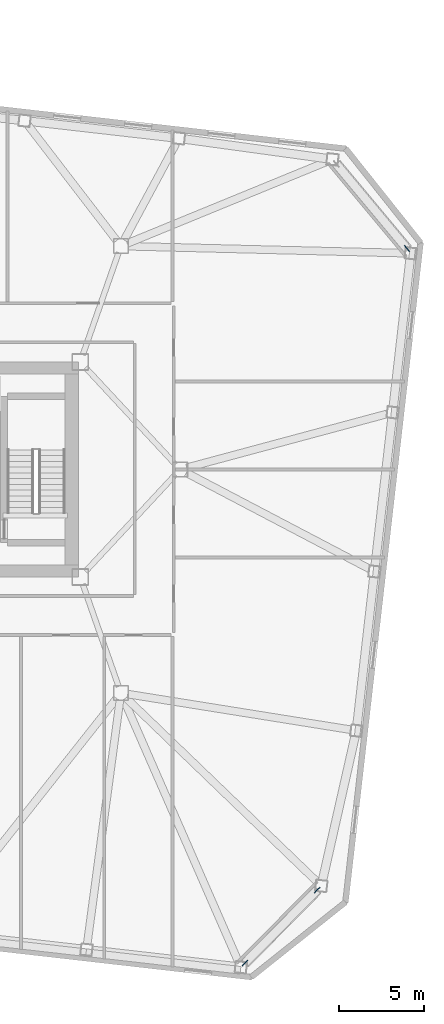
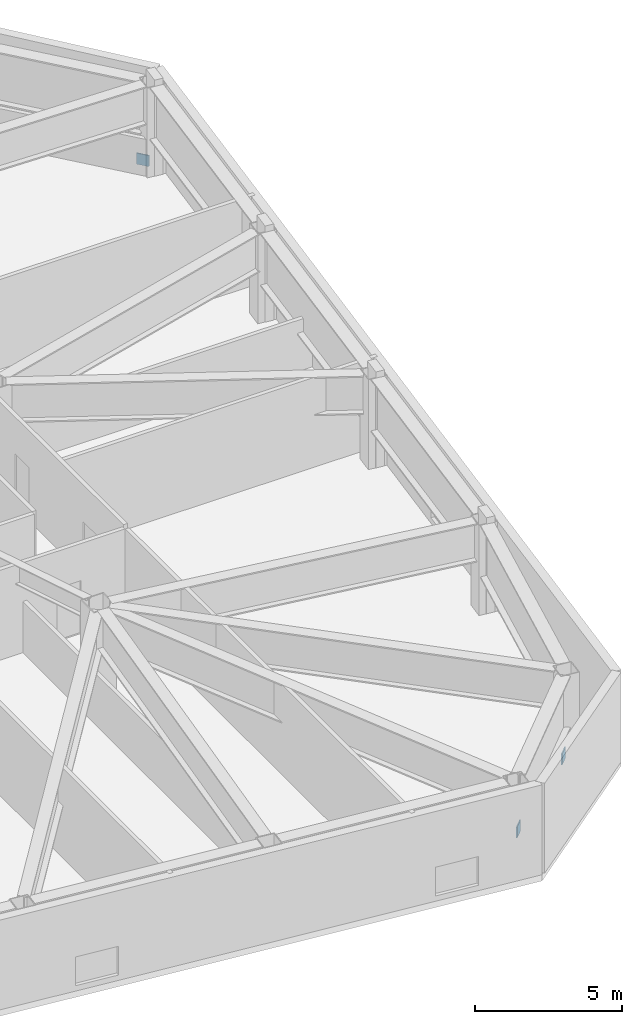
# One storey, part 18 of 21: 3 discrete accessories.
"""IFC4 building model written with IfcOpenShell, lengths in metres."""

from ifc_helpers import new_model, si_unit, direction, frame, origin, origin_2d, place, context, subcontext, project, spatial, rectangle, extrude, material, type_object, element, save


model = new_model("IFC4")

# Units and contexts
model_context = context("Model", 3, precision=1e-05, world=origin(), true_north=direction((0.0, 1.0)))
body_context = subcontext(model_context, "Body", "Model", "MODEL_VIEW")
ifc_project = project(units=[si_unit("LENGTHUNIT", "METRE"), si_unit("AREAUNIT", "SQUARE_METRE"), si_unit("VOLUMEUNIT", "CUBIC_METRE"), si_unit("PLANEANGLEUNIT", "RADIAN"), si_unit("MASSUNIT", "GRAM", prefix="KILO")], contexts=[model_context])

# Site, building, storey
site_placement = place(None, origin())
site = spatial("IfcSite", under=ifc_project, at=site_placement, CompositionType="ELEMENT")
building_placement = place(site_placement, origin())
building = spatial("IfcBuilding", under=site, at=building_placement, Name="Tavrogorsk Clinical Tower", CompositionType="ELEMENT")
storey_placement = place(building_placement, frame((0.0, 0.0, 89.39990234375)))
storey = spatial("IfcBuildingStorey", under=building, at=storey_placement, Name="L19", CompositionType="ELEMENT", Elevation=89.39990234375)

# Discrete accessories
ifc_material = material(Name="Structural steel S440", Category="steel")
discrete_accessory_type = type_object("IfcDiscreteAccessoryType", Name="GussetPlateBracket_25", PredefinedType="BRACKET", material=ifc_material)
for number, where, z_axis, x_axis, name in (
    (1, (36.087890625, -24.842529296875, 0.132080078125), (0.0, 0.0, 1.0), (-0.702898299792, -0.711290362756, 0.0), "L19 Brace Gusset Plate EXOCRN-L19-1-A"),
    (2, (31.830810546875, -29.150146484375, 1.197998046875), (0.0, 0.0, 1.0), (-0.702898299792, -0.711290362756, 0.0), "L19 Brace Gusset Plate EXOCRN-L19-1-B"),
    (3, (41.395751953125, 13.044921875, 0.12841796875), (0.0, 0.0, 1.0), (-0.640243780506, 0.768171791674, 0.0), "L19 Brace Gusset Plate EXOCRN-L19-2-A"),
):
    element("IfcDiscreteAccessory", number, at=place(storey_placement, frame(where, z_axis=z_axis, x_axis=x_axis)), inside=storey, type_object=discrete_accessory_type, Name=name, PredefinedType="BRACKET", context=body_context, shape_type="SweptSolid", body=[
        extrude(rectangle(XDim=0.4599609375, YDim=0.0400390625, at=origin_2d()), origin(), (0.0, 0.0, 1.0), 0.4599609375),
    ])

save(model, "model.ifc")
